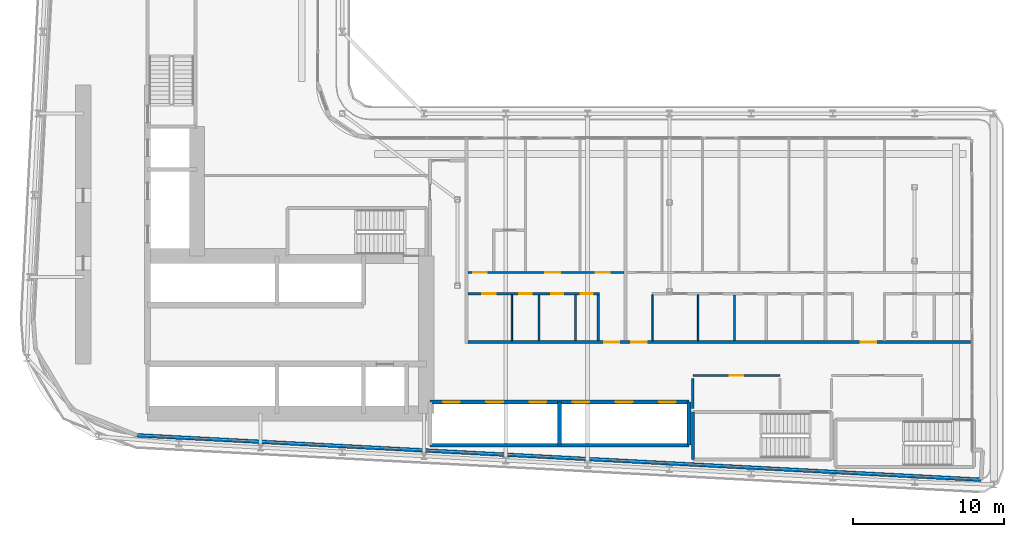
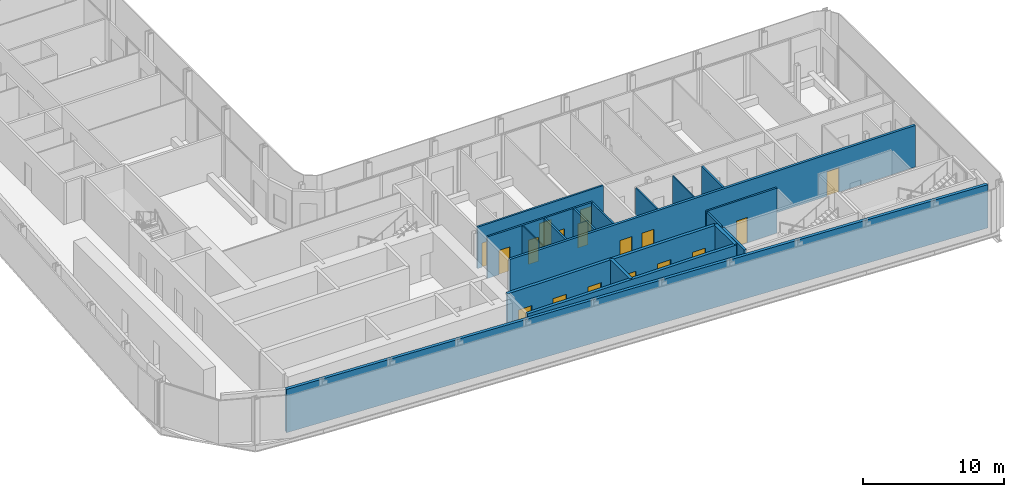
# One storey, part 12 of 24: 18 walls, 17 doors, 17 openings.
"""IFC4 building model written with IfcOpenShell, lengths in metres."""

from ifc_helpers import new_model, si_unit, direction, frame, frame_2d, origin, place, context, subcontext, project, spatial, rectangle, extrude, source, transform, mapped, material, layer, layer_set, type_object, element, fill, save


model = new_model("IFC4")

# Units and contexts
model_context = context("Model", 3, precision=1e-05, world=origin(), true_north=direction((0.0, 1.0)))
body_context = subcontext(model_context, "Body", "Model", "MODEL_VIEW")
ifc_project = project(units=[si_unit("LENGTHUNIT", "METRE"), si_unit("AREAUNIT", "SQUARE_METRE"), si_unit("VOLUMEUNIT", "CUBIC_METRE"), si_unit("PLANEANGLEUNIT", "RADIAN"), si_unit("MASSUNIT", "GRAM", prefix="KILO")], contexts=[model_context])

# Site, building, storey
site_placement = place(None, origin())
site = spatial("IfcSite", under=ifc_project, at=site_placement, CompositionType="ELEMENT")
building_placement = place(site_placement, origin())
building = spatial("IfcBuilding", under=site, at=building_placement, Name="Kheshtan School and Residences Tower", CompositionType="ELEMENT")
storey_placement = place(building_placement, frame((0.0, 0.0, 38.300048828125)))
storey = spatial("IfcBuildingStorey", under=building, at=storey_placement, Name="L08", CompositionType="ELEMENT", Elevation=38.300048828125)

# Wall, openings, doors
ifc_material_1 = material(Name="Gypsum board on steel studs with fire boards", Category="steel")
ifc_layer_1 = layer(ifc_material_1, 0.199951171875)
ifc_layer_set_1 = layer_set([ifc_layer_1], Name="Corridor wall 200")
wall_type_1 = type_object("IfcWallType", Name="Corridor wall 200", PredefinedType="PARTITIONING", material=ifc_layer_set_1)
wall_1_placement = place(storey_placement, frame((55.89990234375, 30.5, 0.0), z_axis=(0.0, 0.0, 1.0), x_axis=(1.0, 0.0, 0.0)))
wall_1 = element("IfcWall", 1, at=wall_1_placement, inside=storey, type_object=wall_type_1, Name="Partition L08-047", PredefinedType="PARTITIONING", context=body_context, shape_type="SweptSolid", body=[
    extrude(rectangle(XDim=33.2001953125, YDim=0.199951171875, at=frame_2d((16.60009765625, 0.0))), origin(), (0.0, 0.0, 1.0), 3.599853515625),
])
opening_1_placement = place(wall_1_placement, frame((9.0, 0.0, 0.0)))
opening_1 = element("IfcOpeningElement", 2, at=opening_1_placement, cuts=wall_1, Name="Opening D08-004", PredefinedType="OPENING", context=body_context, shape_type="SweptSolid", body=[
    extrude(rectangle(XDim=1.0, YDim=2.10009765625, at=frame_2d((0.5, 1.050048828125))), frame((0.0, 0.10986328125, 0.0), z_axis=(0.0, -1.0, 0.0), x_axis=(1.0, 0.0, 0.0)), (0.0, 0.0, 1.0), 0.219970703125),
])
opening_2_placement = place(wall_1_placement, frame((10.800048828125, 0.0, 0.0)))
opening_2 = element("IfcOpeningElement", 3, at=opening_2_placement, cuts=wall_1, Name="Opening D08-015", PredefinedType="OPENING", context=body_context, shape_type="SweptSolid", body=[
    extrude(rectangle(XDim=1.0, YDim=2.10009765625, at=frame_2d((0.5, 1.050048828125))), frame((0.0, 0.10986328125, 0.0), z_axis=(0.0, -1.0, 0.0), x_axis=(1.0, 0.0, 0.0)), (0.0, 0.0, 1.0), 0.219970703125),
])
opening_3_placement = place(wall_1_placement, frame((25.949951171875, 0.0, 0.0)))
opening_3 = element("IfcOpeningElement", 4, at=opening_3_placement, cuts=wall_1, Name="Opening D08-023", PredefinedType="OPENING", context=body_context, shape_type="SweptSolid", body=[
    extrude(rectangle(XDim=1.0, YDim=2.10009765625, at=frame_2d((0.5, 1.050048828125))), frame((0.0, 0.10986328125, 0.0), z_axis=(0.0, -1.0, 0.0), x_axis=(1.0, 0.0, 0.0)), (0.0, 0.0, 1.0), 0.219970703125),
])
ifc_material_2 = material(Name="Steel-framed fire-resisting door leaf", Category="steel")
door_type_1 = type_object("IfcDoorType", Name="Fire door FD30S 1000 x 2100", OperationType="SINGLE_SWING_LEFT", PredefinedType="DOOR", material=ifc_material_2)
shared_shape_1 = source(origin(), body_context, "Body", "SweptSolid", [
    extrude(rectangle(XDim=1.0, YDim=2.10009765625, at=frame_2d((0.5, 1.050048828125))), frame((0.0, 0.02490234375, 0.0), z_axis=(0.0, -1.0, 0.0), x_axis=(1.0, 0.0, 0.0)), (0.0, 0.0, 1.0), 0.050048828125),
])
door_1_placement = place(opening_1_placement, origin())
door_1 = element("IfcDoor", 5, at=door_1_placement, inside=storey, type_object=door_type_1, Name="Door D08-004", OperationType="SINGLE_SWING_RIGHT", OverallHeight=2.10009765625, OverallWidth=1.0, PredefinedType="DOOR", context=body_context, shape_type="MappedRepresentation", body=[
    mapped(shared_shape_1, transform((0.0, 0.0, 0.0), x_axis=(1.0, 0.0, 0.0), y_axis=(0.0, 1.0, 0.0), z_axis=(0.0, 0.0, 1.0), scale=1.0)),
])
fill(opening_1, door_1)
door_2_placement = place(opening_2_placement, origin())
door_2 = element("IfcDoor", 6, at=door_2_placement, inside=storey, type_object=door_type_1, Name="Door D08-015", OperationType="SINGLE_SWING_RIGHT", OverallHeight=2.10009765625, OverallWidth=1.0, PredefinedType="DOOR", context=body_context, shape_type="MappedRepresentation", body=[
    mapped(shared_shape_1, transform((0.0, 0.0, 0.0), x_axis=(1.0, 0.0, 0.0), y_axis=(0.0, 1.0, 0.0), z_axis=(0.0, 0.0, 1.0), scale=1.0)),
])
fill(opening_2, door_2)
door_3_placement = place(opening_3_placement, origin())
door_3 = element("IfcDoor", 7, at=door_3_placement, inside=storey, type_object=door_type_1, Name="Door D08-023", OperationType="SINGLE_SWING_RIGHT", OverallHeight=2.10009765625, OverallWidth=1.0, PredefinedType="DOOR", context=body_context, shape_type="MappedRepresentation", body=[
    mapped(shared_shape_1, transform((0.0, 0.0, 0.0), x_axis=(1.0, 0.0, 0.0), y_axis=(0.0, 1.0, 0.0), z_axis=(0.0, 0.0, 1.0), scale=1.0)),
])
fill(opening_3, door_3)

# Walls
ifc_material_3 = material(Name="Concrete C40/50 with ceramic cladding and mineral wool insulation", Category="concrete")
ifc_layer_2 = layer(ifc_material_3, 0.25)
ifc_layer_set_2 = layer_set([ifc_layer_2], Name="External wall 250 ceramic clad")
wall_type_2 = type_object("IfcWallType", Name="External wall 250 ceramic clad", PredefinedType="SOLIDWALL", material=ifc_layer_set_2)
wall_2_placement = place(storey_placement, frame((89.785888671875, 21.4189453125, 0.0), z_axis=(0.0, 0.0, 1.0), x_axis=(-0.998617793089, 0.052559521752, 0.0)))
element("IfcWall", 8, at=wall_2_placement, inside=storey, type_object=wall_type_2, Name="External wall L08 16", PredefinedType="SOLIDWALL", context=body_context, shape_type="SweptSolid", body=[
    extrude(rectangle(XDim=55.823974609375, YDim=0.25, at=frame_2d((27.912109375, 0.0))), origin(), (0.0, 0.0, 1.0), 3.75),
])
ifc_material_4 = material(Name="Gypsum board on steel studs", Category="steel")
ifc_layer_3 = layer(ifc_material_4, 0.10009765625)
ifc_layer_set_3 = layer_set([ifc_layer_3], Name="Gypsum partition 100")
wall_type_3 = type_object("IfcWallType", Name="Gypsum partition 100", PredefinedType="PARTITIONING", material=ifc_layer_set_3)
for number, where, z_axis, x_axis, name in (
    (9, (58.800048828125, 30.60009765625, 0.0), (0.0, 0.0, 1.0), (0.0, 1.0, 0.0), "Partition L08-052"),
    (10, (68.10009765625, 30.60009765625, 0.0), (0.0, 0.0, 1.0), (0.0, 1.0, 0.0), "Partition L08-061"),
    (11, (71.10009765625, 30.60009765625, 0.0), (0.0, 0.0, 1.0), (0.0, 1.0, 0.0), "Partition L08-063"),
):
    element("IfcWall", number, at=place(storey_placement, frame(where, z_axis=z_axis, x_axis=x_axis)), inside=storey, type_object=wall_type_3, Name=name, PredefinedType="PARTITIONING", context=body_context, shape_type="SweptSolid", body=[
        extrude(rectangle(XDim=3.02490234375, YDim=0.10009765625, at=frame_2d((1.512451171875, 0.0))), origin(), (0.0, 0.0, 1.0), 3.599853515625),
    ])

# Wall, opening, door
ifc_material_5 = material(Name="Fire-board shaft wall system")
ifc_layer_4 = layer(ifc_material_5, 0.14990234375)
ifc_layer_set_4 = layer_set([ifc_layer_4], Name="Service room wall 150")
wall_type_4 = type_object("IfcWallType", Name="Service room wall 150", PredefinedType="PARTITIONING", material=ifc_layer_set_4)
wall_3_placement = place(storey_placement, frame((70.75, 28.300048828125, 0.0), z_axis=(0.0, 0.0, 1.0), x_axis=(1.0, 0.0, 0.0)))
wall_3 = element("IfcWall", 12, at=wall_3_placement, inside=storey, type_object=wall_type_4, Name="Service room wall", PredefinedType="PARTITIONING", context=body_context, shape_type="SweptSolid", body=[
    extrude(rectangle(XDim=5.760009765625, YDim=0.14990234375, at=frame_2d((2.8798828125, 0.0))), origin(), (0.0, 0.0, 1.0), 3.89990234375),
])
opening_4_placement = place(wall_3_placement, frame((2.429931640625, 0.0, 0.0)))
opening_4 = element("IfcOpeningElement", 13, at=opening_4_placement, cuts=wall_3, Name="Opening SR90", PredefinedType="OPENING", context=body_context, shape_type="SweptSolid", body=[
    extrude(rectangle(XDim=0.89990234375, YDim=2.199951171875, at=frame_2d((0.449951171875, 1.10009765625))), frame((0.0, 0.0849609375, 0.0), z_axis=(0.0, -1.0, 0.0), x_axis=(1.0, 0.0, 0.0)), (0.0, 0.0, 1.0), 0.169921875),
])
ifc_material_6 = material(Name="Steel door leaf, galvanised", Category="steel")
door_type_2 = type_object("IfcDoorType", Name="Service room door 900 steel 90 min", OperationType="SINGLE_SWING_LEFT", PredefinedType="DOOR", material=ifc_material_6)
shared_shape_2 = source(origin(), body_context, "Body", "SweptSolid", [
    extrude(rectangle(XDim=0.89990234375, YDim=2.199951171875, at=frame_2d((0.449951171875, 1.10009765625))), frame((0.0, 0.02490234375, 0.0), z_axis=(0.0, -1.0, 0.0), x_axis=(1.0, 0.0, 0.0)), (0.0, 0.0, 1.0), 0.050048828125),
])
door_4_placement = place(opening_4_placement, origin())
door_4 = element("IfcDoor", 14, at=door_4_placement, inside=storey, type_object=door_type_2, Name="Service room door", OperationType="SINGLE_SWING_LEFT", OverallHeight=2.199951171875, OverallWidth=0.89990234375, PredefinedType="DOOR", context=body_context, shape_type="MappedRepresentation", body=[
    mapped(shared_shape_2, transform((0.0, 0.0, 0.0), x_axis=(1.0, 0.0, 0.0), y_axis=(0.0, 1.0, 0.0), z_axis=(0.0, 0.0, 1.0), scale=1.0)),
])
fill(opening_4, door_4)

# Walls
wall_4_placement = place(storey_placement, frame((70.75, 26.1201171875, 0.0), z_axis=(0.0, 0.0, 1.0), x_axis=(0.0, 1.0, 0.0)))
element("IfcWall", 15, at=wall_4_placement, inside=storey, type_object=wall_type_4, Name="Service room wall", PredefinedType="PARTITIONING", context=body_context, shape_type="SweptSolid", body=[
    extrude(rectangle(XDim=1.98486328125, YDim=0.14990234375, at=frame_2d((0.992431640625, 0.0))), origin(), (0.0, 0.0, 1.0), 3.89990234375),
])
ifc_layer_5 = layer(ifc_material_5, 0.25)
ifc_layer_set_5 = layer_set([ifc_layer_5], Name="Shaft lining wall 250")
wall_type_5 = type_object("IfcWallType", Name="Shaft lining wall 250", PredefinedType="PARTITIONING", material=ifc_layer_set_5)
for number, where, z_axis, x_axis, name in (
    (16, (61.949951171875, 23.699951171875, 0.0), (0.0, 0.0, 1.0), (0.0, 1.0, 0.0), "Shaft lining wall"),
    (17, (70.5, 23.699951171875, 0.0), (0.0, 0.0, 1.0), (0.0, 1.0, 0.0), "Shaft lining wall"),
):
    element("IfcWall", number, at=place(storey_placement, frame(where, z_axis=z_axis, x_axis=x_axis)), inside=storey, type_object=wall_type_5, Name=name, PredefinedType="PARTITIONING", context=body_context, shape_type="SweptSolid", body=[
        extrude(rectangle(XDim=2.85009765625, YDim=0.25, at=frame_2d((1.425048828125, 0.0))), origin(), (0.0, 0.0, 1.0), 3.89990234375),
    ])
wall_5_placement = place(storey_placement, frame((53.39990234375, 23.699951171875, 0.0), z_axis=(0.0, 0.0, 1.0), x_axis=(1.0, 0.0, 0.0)))
element("IfcWall", 18, at=wall_5_placement, inside=storey, type_object=wall_type_5, Name="Shaft lining wall", PredefinedType="PARTITIONING", context=body_context, shape_type="SweptSolid", body=[
    extrude(rectangle(XDim=17.10009765625, YDim=0.25, at=frame_2d((8.550048828125, 0.0))), origin(), (0.0, 0.0, 1.0), 3.89990234375),
])

# Wall, openings, doors
wall_6_placement = place(storey_placement, frame((53.39990234375, 26.550048828125, 0.0), z_axis=(0.0, 0.0, 1.0), x_axis=(1.0, 0.0, 0.0)))
wall_6 = element("IfcWall", 19, at=wall_6_placement, inside=storey, type_object=wall_type_5, Name="Shaft lining wall", PredefinedType="PARTITIONING", context=body_context, shape_type="SweptSolid", body=[
    extrude(rectangle(XDim=17.10009765625, YDim=0.25, at=frame_2d((8.550048828125, 0.0))), origin(), (0.0, 0.0, 1.0), 3.89990234375),
])
opening_5_placement = place(wall_6_placement, frame((0.875, 0.0, 0.0)))
opening_5 = element("IfcOpeningElement", 20, at=opening_5_placement, cuts=wall_6, Name="Opening LD", PredefinedType="OPENING", context=body_context, shape_type="SweptSolid", body=[
    extrude(rectangle(XDim=1.10009765625, YDim=2.199951171875, at=frame_2d((0.550048828125, 1.10009765625))), frame((0.0, 0.135009765625, 0.0), z_axis=(0.0, -1.0, 0.0), x_axis=(1.0, 0.0, 0.0)), (0.0, 0.0, 1.0), 0.27001953125),
])
opening_6_placement = place(wall_6_placement, frame((3.72509765625, 0.0, 0.0)))
opening_6 = element("IfcOpeningElement", 21, at=opening_6_placement, cuts=wall_6, Name="Opening LD", PredefinedType="OPENING", context=body_context, shape_type="SweptSolid", body=[
    extrude(rectangle(XDim=1.10009765625, YDim=2.199951171875, at=frame_2d((0.550048828125, 1.10009765625))), frame((0.0, 0.135009765625, 0.0), z_axis=(0.0, -1.0, 0.0), x_axis=(1.0, 0.0, 0.0)), (0.0, 0.0, 1.0), 0.27001953125),
])
opening_7_placement = place(wall_6_placement, frame((6.574951171875, 0.0, 0.0)))
opening_7 = element("IfcOpeningElement", 22, at=opening_7_placement, cuts=wall_6, Name="Opening LD", PredefinedType="OPENING", context=body_context, shape_type="SweptSolid", body=[
    extrude(rectangle(XDim=1.10009765625, YDim=2.199951171875, at=frame_2d((0.550048828125, 1.10009765625))), frame((0.0, 0.135009765625, 0.0), z_axis=(0.0, -1.0, 0.0), x_axis=(1.0, 0.0, 0.0)), (0.0, 0.0, 1.0), 0.27001953125),
])
opening_8_placement = place(wall_6_placement, frame((9.425048828125, 0.0, 0.0)))
opening_8 = element("IfcOpeningElement", 23, at=opening_8_placement, cuts=wall_6, Name="Opening LD", PredefinedType="OPENING", context=body_context, shape_type="SweptSolid", body=[
    extrude(rectangle(XDim=1.10009765625, YDim=2.199951171875, at=frame_2d((0.550048828125, 1.10009765625))), frame((0.0, 0.135009765625, 0.0), z_axis=(0.0, -1.0, 0.0), x_axis=(1.0, 0.0, 0.0)), (0.0, 0.0, 1.0), 0.27001953125),
])
opening_9_placement = place(wall_6_placement, frame((12.27490234375, 0.0, 0.0)))
opening_9 = element("IfcOpeningElement", 24, at=opening_9_placement, cuts=wall_6, Name="Opening LD", PredefinedType="OPENING", context=body_context, shape_type="SweptSolid", body=[
    extrude(rectangle(XDim=1.10009765625, YDim=2.199951171875, at=frame_2d((0.550048828125, 1.10009765625))), frame((0.0, 0.135009765625, 0.0), z_axis=(0.0, -1.0, 0.0), x_axis=(1.0, 0.0, 0.0)), (0.0, 0.0, 1.0), 0.27001953125),
])
opening_10_placement = place(wall_6_placement, frame((15.125, 0.0, 0.0)))
opening_10 = element("IfcOpeningElement", 25, at=opening_10_placement, cuts=wall_6, Name="Opening LD", PredefinedType="OPENING", context=body_context, shape_type="SweptSolid", body=[
    extrude(rectangle(XDim=1.10009765625, YDim=2.199951171875, at=frame_2d((0.550048828125, 1.10009765625))), frame((0.0, 0.135009765625, 0.0), z_axis=(0.0, -1.0, 0.0), x_axis=(1.0, 0.0, 0.0)), (0.0, 0.0, 1.0), 0.27001953125),
])
ifc_material_7 = material(Name="Stainless steel door leaves", Category="steel")
door_type_3 = type_object("IfcDoorType", Name="Lift landing door 1100", OperationType="SLIDING_TO_LEFT", PredefinedType="DOOR", material=ifc_material_7)
shared_shape_3 = source(origin(), body_context, "Body", "SweptSolid", [
    extrude(rectangle(XDim=1.10009765625, YDim=2.199951171875, at=frame_2d((0.550048828125, 1.10009765625))), frame((0.0, 0.02490234375, 0.0), z_axis=(0.0, -1.0, 0.0), x_axis=(1.0, 0.0, 0.0)), (0.0, 0.0, 1.0), 0.050048828125),
])
door_5_placement = place(opening_5_placement, origin())
door_5 = element("IfcDoor", 26, at=door_5_placement, inside=storey, type_object=door_type_3, Name="Lift P1 landing door", OperationType="SLIDING_TO_LEFT", OverallHeight=2.199951171875, OverallWidth=1.10009765625, PredefinedType="DOOR", context=body_context, shape_type="MappedRepresentation", body=[
    mapped(shared_shape_3, transform((0.0, 0.0, 0.0), x_axis=(1.0, 0.0, 0.0), y_axis=(0.0, 1.0, 0.0), z_axis=(0.0, 0.0, 1.0), scale=1.0)),
])
fill(opening_5, door_5)
door_6_placement = place(opening_6_placement, origin())
door_6 = element("IfcDoor", 27, at=door_6_placement, inside=storey, type_object=door_type_3, Name="Lift P2 landing door", OperationType="SLIDING_TO_LEFT", OverallHeight=2.199951171875, OverallWidth=1.10009765625, PredefinedType="DOOR", context=body_context, shape_type="MappedRepresentation", body=[
    mapped(shared_shape_3, transform((0.0, 0.0, 0.0), x_axis=(1.0, 0.0, 0.0), y_axis=(0.0, 1.0, 0.0), z_axis=(0.0, 0.0, 1.0), scale=1.0)),
])
fill(opening_6, door_6)
door_7_placement = place(opening_7_placement, origin())
door_7 = element("IfcDoor", 28, at=door_7_placement, inside=storey, type_object=door_type_3, Name="Lift P3 landing door", OperationType="SLIDING_TO_LEFT", OverallHeight=2.199951171875, OverallWidth=1.10009765625, PredefinedType="DOOR", context=body_context, shape_type="MappedRepresentation", body=[
    mapped(shared_shape_3, transform((0.0, 0.0, 0.0), x_axis=(1.0, 0.0, 0.0), y_axis=(0.0, 1.0, 0.0), z_axis=(0.0, 0.0, 1.0), scale=1.0)),
])
fill(opening_7, door_7)
door_8_placement = place(opening_8_placement, origin())
door_8 = element("IfcDoor", 29, at=door_8_placement, inside=storey, type_object=door_type_3, Name="Lift P4 landing door", OperationType="SLIDING_TO_LEFT", OverallHeight=2.199951171875, OverallWidth=1.10009765625, PredefinedType="DOOR", context=body_context, shape_type="MappedRepresentation", body=[
    mapped(shared_shape_3, transform((0.0, 0.0, 0.0), x_axis=(1.0, 0.0, 0.0), y_axis=(0.0, 1.0, 0.0), z_axis=(0.0, 0.0, 1.0), scale=1.0)),
])
fill(opening_8, door_8)
door_9_placement = place(opening_9_placement, origin())
door_9 = element("IfcDoor", 30, at=door_9_placement, inside=storey, type_object=door_type_3, Name="Lift P5 landing door", OperationType="SLIDING_TO_LEFT", OverallHeight=2.199951171875, OverallWidth=1.10009765625, PredefinedType="DOOR", context=body_context, shape_type="MappedRepresentation", body=[
    mapped(shared_shape_3, transform((0.0, 0.0, 0.0), x_axis=(1.0, 0.0, 0.0), y_axis=(0.0, 1.0, 0.0), z_axis=(0.0, 0.0, 1.0), scale=1.0)),
])
fill(opening_9, door_9)
door_10_placement = place(opening_10_placement, origin())
door_10 = element("IfcDoor", 31, at=door_10_placement, inside=storey, type_object=door_type_3, Name="Lift P6 landing door", OperationType="SLIDING_TO_LEFT", OverallHeight=2.199951171875, OverallWidth=1.10009765625, PredefinedType="DOOR", context=body_context, shape_type="MappedRepresentation", body=[
    mapped(shared_shape_3, transform((0.0, 0.0, 0.0), x_axis=(1.0, 0.0, 0.0), y_axis=(0.0, 1.0, 0.0), z_axis=(0.0, 0.0, 1.0), scale=1.0)),
])
fill(opening_10, door_10)

# Wall
ifc_material_8 = material(Name="Concrete C40/50", Category="concrete")
ifc_layer_6 = layer(ifc_material_8, 0.199951171875)
ifc_layer_set_6 = layer_set([ifc_layer_6], Name="Stair enclosure wall 200 Concrete C40/50")
wall_type_6 = type_object("IfcWallType", Name="Stair enclosure wall 200 Concrete C40/50", PredefinedType="SHEAR", material=ifc_layer_set_6)
wall_7_placement = place(storey_placement, frame((70.75, 22.75, 0.0), z_axis=(0.0, 0.0, 1.0), x_axis=(0.0, 1.0, 0.0)))
element("IfcWall", 32, at=wall_7_placement, inside=storey, type_object=wall_type_6, Name="Stair enclosure wall ST5", PredefinedType="SHEAR", context=body_context, shape_type="SweptSolid", body=[
    extrude(rectangle(XDim=3.14990234375, YDim=0.199951171875, at=frame_2d((1.574951171875, 0.0))), origin(), (0.0, 0.0, 1.0), 3.89990234375),
])

# Wall, openings, doors
ifc_material_9 = material(Name="Moisture-resistant gypsum board on steel studs", Category="steel")
ifc_layer_7 = layer(ifc_material_9, 0.14990234375)
ifc_layer_set_7 = layer_set([ifc_layer_7], Name="Wet-room partition 150")
wall_type_7 = type_object("IfcWallType", Name="Wet-room partition 150", PredefinedType="PARTITIONING", material=ifc_layer_set_7)
wall_8_placement = place(storey_placement, frame((55.89990234375, 33.699951171875, 0.0), z_axis=(0.0, 0.0, 1.0), x_axis=(1.0, 0.0, 0.0)))
wall_8 = element("IfcWall", 33, at=wall_8_placement, inside=storey, type_object=wall_type_7, Name="Partition L08-048", PredefinedType="PARTITIONING", context=body_context, shape_type="SweptSolid", body=[
    extrude(rectangle(XDim=8.675048828125, YDim=0.14990234375, at=frame_2d((4.33740234375, 0.0))), origin(), (0.0, 0.0, 1.0), 3.599853515625),
])
opening_11_placement = place(wall_8_placement, frame((5.5, 0.0, 0.0)))
opening_11 = element("IfcOpeningElement", 34, at=opening_11_placement, cuts=wall_8, Name="Opening D08-001", PredefinedType="OPENING", context=body_context, shape_type="SweptSolid", body=[
    extrude(rectangle(XDim=0.800048828125, YDim=2.10009765625, at=frame_2d((0.39990234375, 1.050048828125))), frame((0.0, 0.0849609375, 0.0), z_axis=(0.0, -1.0, 0.0), x_axis=(1.0, 0.0, 0.0)), (0.0, 0.0, 1.0), 0.169921875),
])
opening_12_placement = place(wall_8_placement, frame((0.949951171875, 0.0, 0.0)))
opening_12 = element("IfcOpeningElement", 35, at=opening_12_placement, cuts=wall_8, Name="Opening D08-005", PredefinedType="OPENING", context=body_context, shape_type="SweptSolid", body=[
    extrude(rectangle(XDim=0.89990234375, YDim=2.10009765625, at=frame_2d((0.449951171875, 1.050048828125))), frame((0.0, 0.0849609375, 0.0), z_axis=(0.0, -1.0, 0.0), x_axis=(1.0, 0.0, 0.0)), (0.0, 0.0, 1.0), 0.169921875),
])
opening_13_placement = place(wall_8_placement, frame((3.39990234375, 0.0, 0.0)))
opening_13 = element("IfcOpeningElement", 36, at=opening_13_placement, cuts=wall_8, Name="Opening D08-008", PredefinedType="OPENING", context=body_context, shape_type="SweptSolid", body=[
    extrude(rectangle(XDim=0.800048828125, YDim=2.10009765625, at=frame_2d((0.39990234375, 1.050048828125))), frame((0.0, 0.0849609375, 0.0), z_axis=(0.0, -1.0, 0.0), x_axis=(1.0, 0.0, 0.0)), (0.0, 0.0, 1.0), 0.169921875),
])
opening_14_placement = place(wall_8_placement, frame((7.449951171875, 0.0, 0.0)))
opening_14 = element("IfcOpeningElement", 37, at=opening_14_placement, cuts=wall_8, Name="Opening D08-009", PredefinedType="OPENING", context=body_context, shape_type="SweptSolid", body=[
    extrude(rectangle(XDim=0.800048828125, YDim=2.10009765625, at=frame_2d((0.39990234375, 1.050048828125))), frame((0.0, 0.0849609375, 0.0), z_axis=(0.0, -1.0, 0.0), x_axis=(1.0, 0.0, 0.0)), (0.0, 0.0, 1.0), 0.169921875),
])
ifc_material_10 = material(Name="Veneered timber door leaf", Category="wood")
door_type_4 = type_object("IfcDoorType", Name="Door 800 x 2100", OperationType="SINGLE_SWING_LEFT", PredefinedType="DOOR", material=ifc_material_10)
shared_shape_4 = source(origin(), body_context, "Body", "SweptSolid", [
    extrude(rectangle(XDim=0.800048828125, YDim=2.10009765625, at=frame_2d((0.39990234375, 1.050048828125))), frame((0.0, 0.02490234375, 0.0), z_axis=(0.0, -1.0, 0.0), x_axis=(1.0, 0.0, 0.0)), (0.0, 0.0, 1.0), 0.050048828125),
])
door_11_placement = place(opening_11_placement, origin())
door_11 = element("IfcDoor", 38, at=door_11_placement, inside=storey, type_object=door_type_4, Name="Door D08-001", OperationType="SINGLE_SWING_RIGHT", OverallHeight=2.10009765625, OverallWidth=0.800048828125, PredefinedType="DOOR", context=body_context, shape_type="MappedRepresentation", body=[
    mapped(shared_shape_4, transform((0.0, 0.0, 0.0), x_axis=(1.0, 0.0, 0.0), y_axis=(0.0, 1.0, 0.0), z_axis=(0.0, 0.0, 1.0), scale=1.0)),
])
fill(opening_11, door_11)
door_12_placement = place(opening_13_placement, origin())
door_12 = element("IfcDoor", 39, at=door_12_placement, inside=storey, type_object=door_type_4, Name="Door D08-008", OperationType="SINGLE_SWING_LEFT", OverallHeight=2.10009765625, OverallWidth=0.800048828125, PredefinedType="DOOR", context=body_context, shape_type="MappedRepresentation", body=[
    mapped(shared_shape_4, transform((0.0, 0.0, 0.0), x_axis=(1.0, 0.0, 0.0), y_axis=(0.0, 1.0, 0.0), z_axis=(0.0, 0.0, 1.0), scale=1.0)),
])
fill(opening_13, door_12)
door_13_placement = place(opening_14_placement, origin())
door_13 = element("IfcDoor", 40, at=door_13_placement, inside=storey, type_object=door_type_4, Name="Door D08-009", OperationType="SINGLE_SWING_LEFT", OverallHeight=2.10009765625, OverallWidth=0.800048828125, PredefinedType="DOOR", context=body_context, shape_type="MappedRepresentation", body=[
    mapped(shared_shape_4, transform((0.0, 0.0, 0.0), x_axis=(1.0, 0.0, 0.0), y_axis=(0.0, 1.0, 0.0), z_axis=(0.0, 0.0, 1.0), scale=1.0)),
])
fill(opening_14, door_13)
door_type_5 = type_object("IfcDoorType", Name="Door 900 x 2100", OperationType="SINGLE_SWING_LEFT", PredefinedType="DOOR", material=ifc_material_10)
shared_shape_5 = source(origin(), body_context, "Body", "SweptSolid", [
    extrude(rectangle(XDim=0.89990234375, YDim=2.10009765625, at=frame_2d((0.449951171875, 1.050048828125))), frame((0.0, 0.02490234375, 0.0), z_axis=(0.0, -1.0, 0.0), x_axis=(1.0, 0.0, 0.0)), (0.0, 0.0, 1.0), 0.050048828125),
])
door_14_placement = place(opening_12_placement, origin())
door_14 = element("IfcDoor", 41, at=door_14_placement, inside=storey, type_object=door_type_5, Name="Door D08-005", OperationType="SINGLE_SWING_LEFT", OverallHeight=2.10009765625, OverallWidth=0.89990234375, PredefinedType="DOOR", context=body_context, shape_type="MappedRepresentation", body=[
    mapped(shared_shape_5, transform((0.0, 0.0, 0.0), x_axis=(1.0, 0.0, 0.0), y_axis=(0.0, 1.0, 0.0), z_axis=(0.0, 0.0, 1.0), scale=1.0)),
])
fill(opening_12, door_14)

wall_9_placement = place(storey_placement, frame((55.89990234375, 35.10009765625, 0.0), z_axis=(0.0, 0.0, 1.0), x_axis=(1.0, 0.0, 0.0)))
wall_9 = element("IfcWall", 42, at=wall_9_placement, inside=storey, type_object=wall_type_7, Name="Partition L08-049", PredefinedType="PARTITIONING", context=body_context, shape_type="SweptSolid", body=[
    extrude(rectangle(XDim=10.300048828125, YDim=0.14990234375, at=frame_2d((5.14990234375, 0.0))), origin(), (0.0, 0.0, 1.0), 3.599853515625),
])
opening_15_placement = place(wall_9_placement, frame((8.449951171875, 0.0, 0.0)))
opening_15 = element("IfcOpeningElement", 43, at=opening_15_placement, cuts=wall_9, Name="Opening D08-002", PredefinedType="OPENING", context=body_context, shape_type="SweptSolid", body=[
    extrude(rectangle(XDim=0.89990234375, YDim=2.10009765625, at=frame_2d((0.449951171875, 1.050048828125))), frame((0.0, 0.0849609375, 0.0), z_axis=(0.0, -1.0, 0.0), x_axis=(1.0, 0.0, 0.0)), (0.0, 0.0, 1.0), 0.169921875),
])
opening_16_placement = place(wall_9_placement, frame((5.10009765625, 0.0, 0.0)))
opening_16 = element("IfcOpeningElement", 44, at=opening_16_placement, cuts=wall_9, Name="Opening D08-006", PredefinedType="OPENING", context=body_context, shape_type="SweptSolid", body=[
    extrude(rectangle(XDim=1.0, YDim=2.10009765625, at=frame_2d((0.5, 1.050048828125))), frame((0.0, 0.0849609375, 0.0), z_axis=(0.0, -1.0, 0.0), x_axis=(1.0, 0.0, 0.0)), (0.0, 0.0, 1.0), 0.169921875),
])
opening_17_placement = place(wall_9_placement, frame((0.35009765625, 0.0, 0.0)))
opening_17 = element("IfcOpeningElement", 45, at=opening_17_placement, cuts=wall_9, Name="Opening D08-007", PredefinedType="OPENING", context=body_context, shape_type="SweptSolid", body=[
    extrude(rectangle(XDim=0.89990234375, YDim=2.10009765625, at=frame_2d((0.449951171875, 1.050048828125))), frame((0.0, 0.0849609375, 0.0), z_axis=(0.0, -1.0, 0.0), x_axis=(1.0, 0.0, 0.0)), (0.0, 0.0, 1.0), 0.169921875),
])
door_type_6 = type_object("IfcDoorType", Name="Door 1000 x 2100", OperationType="SINGLE_SWING_LEFT", PredefinedType="DOOR", material=ifc_material_10)
shared_shape_6 = source(origin(), body_context, "Body", "SweptSolid", [
    extrude(rectangle(XDim=1.0, YDim=2.10009765625, at=frame_2d((0.5, 1.050048828125))), frame((0.0, 0.02490234375, 0.0), z_axis=(0.0, -1.0, 0.0), x_axis=(1.0, 0.0, 0.0)), (0.0, 0.0, 1.0), 0.050048828125),
])
door_15_placement = place(opening_16_placement, origin())
door_15 = element("IfcDoor", 46, at=door_15_placement, inside=storey, type_object=door_type_6, Name="Door D08-006", OperationType="SINGLE_SWING_RIGHT", OverallHeight=2.10009765625, OverallWidth=1.0, PredefinedType="DOOR", context=body_context, shape_type="MappedRepresentation", body=[
    mapped(shared_shape_6, transform((0.0, 0.0, 0.0), x_axis=(1.0, 0.0, 0.0), y_axis=(0.0, 1.0, 0.0), z_axis=(0.0, 0.0, 1.0), scale=1.0)),
])
fill(opening_16, door_15)
door_16_placement = place(opening_15_placement, origin())
door_16 = element("IfcDoor", 47, at=door_16_placement, inside=storey, type_object=door_type_5, Name="Door D08-002", OperationType="SINGLE_SWING_LEFT", OverallHeight=2.10009765625, OverallWidth=0.89990234375, PredefinedType="DOOR", context=body_context, shape_type="MappedRepresentation", body=[
    mapped(shared_shape_5, transform((0.0, 0.0, 0.0), x_axis=(1.0, 0.0, 0.0), y_axis=(0.0, 1.0, 0.0), z_axis=(0.0, 0.0, 1.0), scale=1.0)),
])
fill(opening_15, door_16)
door_17_placement = place(opening_17_placement, origin())
door_17 = element("IfcDoor", 48, at=door_17_placement, inside=storey, type_object=door_type_5, Name="Door D08-007", OperationType="SINGLE_SWING_RIGHT", OverallHeight=2.10009765625, OverallWidth=0.89990234375, PredefinedType="DOOR", context=body_context, shape_type="MappedRepresentation", body=[
    mapped(shared_shape_5, transform((0.0, 0.0, 0.0), x_axis=(1.0, 0.0, 0.0), y_axis=(0.0, 1.0, 0.0), z_axis=(0.0, 0.0, 1.0), scale=1.0)),
])
fill(opening_17, door_17)

# Walls
for number, where, z_axis, x_axis, name in (
    (49, (60.60009765625, 30.60009765625, 0.0), (0.0, 0.0, 1.0), (0.0, 1.0, 0.0), "Partition L08-054"),
    (50, (63.0, 30.60009765625, 0.0), (0.0, 0.0, 1.0), (0.0, 1.0, 0.0), "Partition L08-055"),
    (51, (64.5, 30.60009765625, 0.0), (0.0, 0.0, 1.0), (0.0, 1.0, 0.0), "Partition L08-057"),
    (52, (73.5, 30.60009765625, 0.0), (0.0, 0.0, 1.0), (0.0, 1.0, 0.0), "Partition L08-065"),
):
    element("IfcWall", number, at=place(storey_placement, frame(where, z_axis=z_axis, x_axis=x_axis)), inside=storey, type_object=wall_type_7, Name=name, PredefinedType="PARTITIONING", context=body_context, shape_type="SweptSolid", body=[
        extrude(rectangle(XDim=3.02490234375, YDim=0.14990234375, at=frame_2d((1.512451171875, 0.0))), origin(), (0.0, 0.0, 1.0), 3.599853515625),
    ])

save(model, "model.ifc")
